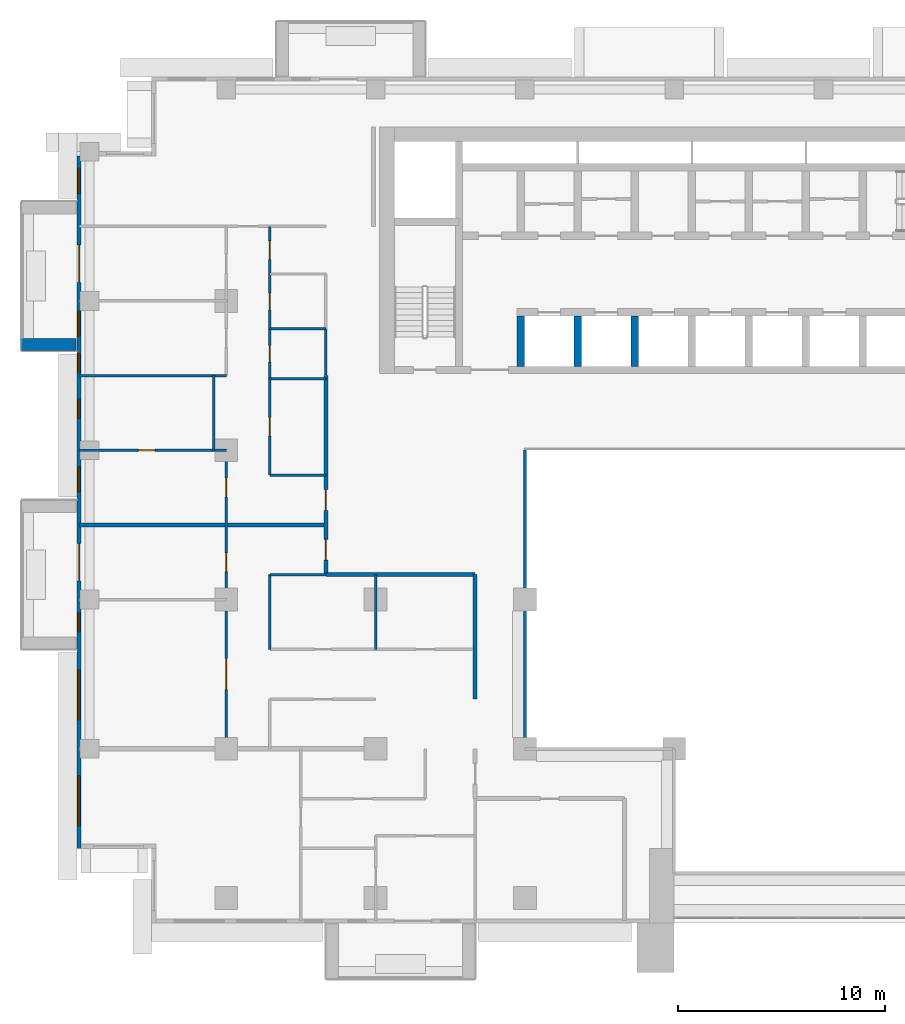
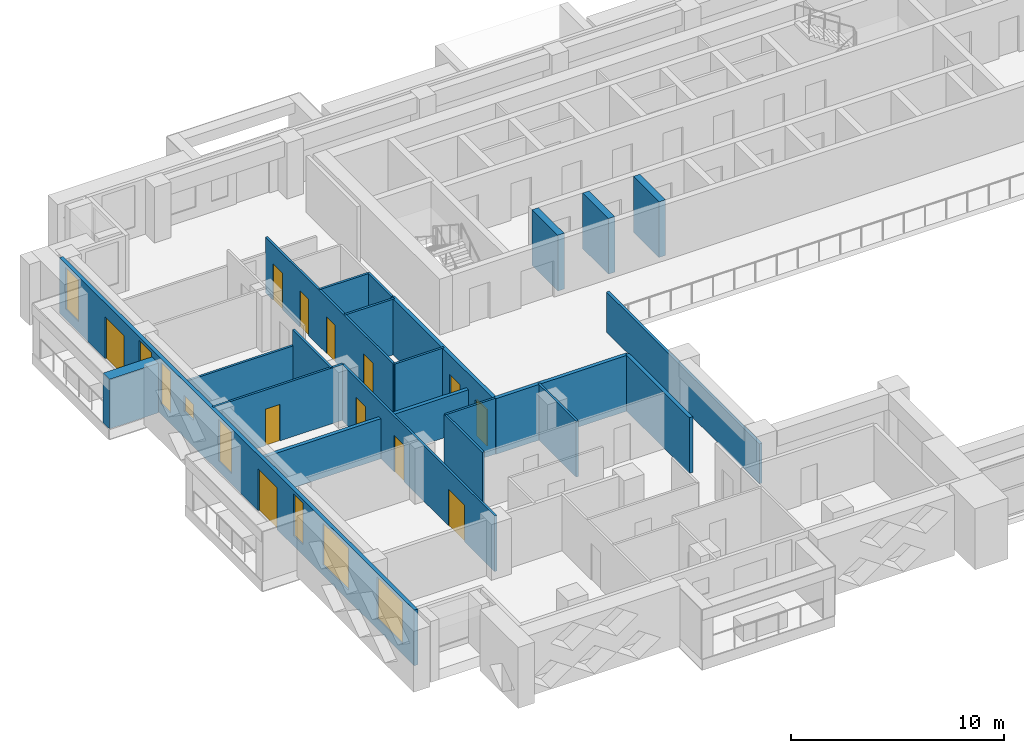
# One storey, part 7 of 20: 22 walls, 12 doors, 8 windows, 20 openings.
"""IFC4 building model written with IfcOpenShell, lengths in metres."""

from ifc_helpers import new_model, si_unit, direction, frame, frame_2d, origin, place, context, subcontext, project, spatial, rectangle, extrude, material, layer, layer_set, type_object, element, fill, save


model = new_model("IFC4")

# Units and contexts
model_context = context("Model", 3, precision=1e-05, world=origin(), true_north=direction((0.0, 1.0)))
body_context = subcontext(model_context, "Body", "Model", "MODEL_VIEW")
ifc_project = project(units=[si_unit("LENGTHUNIT", "METRE"), si_unit("AREAUNIT", "SQUARE_METRE"), si_unit("VOLUMEUNIT", "CUBIC_METRE"), si_unit("PLANEANGLEUNIT", "RADIAN"), si_unit("MASSUNIT", "GRAM", prefix="KILO")], contexts=[model_context])

# Site, building, storey
site_placement = place(None, origin())
site = spatial("IfcSite", under=ifc_project, at=site_placement, CompositionType="ELEMENT")
building_placement = place(site_placement, origin())
building = spatial("IfcBuilding", under=site, at=building_placement, Name="Saffron Iwan Residences", CompositionType="ELEMENT")
storey_placement = place(building_placement, frame((0.0, 0.0, 123.5)))
storey = spatial("IfcBuildingStorey", under=building, at=storey_placement, Name="L32", CompositionType="ELEMENT", Elevation=123.5)

# Walls
ifc_material_1 = material(Name="Fire-rated glazing", Category="glass")
ifc_layer_1 = layer(ifc_material_1, 0.14990234375)
ifc_layer_set_1 = layer_set([ifc_layer_1], Name="Fire-rated glazing")
wall_type_1 = type_object("IfcWallType", Name="Atrium glazed screen 150", PredefinedType="SOLIDWALL", material=ifc_layer_set_1)
wall_1_placement = place(storey_placement, frame((36.0, 48.0, 0.0), z_axis=(0.0, 0.0, 1.0), x_axis=(0.0, 1.0, 0.0)))
element("IfcWall", 1, at=wall_1_placement, inside=storey, type_object=wall_type_1, Name="W-L32-SCREEN-v36-48", PredefinedType="SOLIDWALL", context=body_context, shape_type="SweptSolid", body=[
    extrude(rectangle(XDim=14.39990234375, YDim=0.14990234375, at=frame_2d((7.199951171875, 0.0))), origin(), (0.0, 0.0, 1.0), 2.300048828125),
])
ifc_material_2 = material(Name="Concrete C50/60 white painted", Category="concrete")
ifc_layer_2 = layer(ifc_material_2, 0.60009765625)
ifc_layer_set_2 = layer_set([ifc_layer_2], Name="Concrete C50/60 white painted")
wall_type_2 = type_object("IfcWallType", Name="BALCONY FIN 600", PredefinedType="SOLIDWALL", material=ifc_layer_set_2)
wall_2_placement = place(storey_placement, frame((14.35009765625, 67.5, 0.0), z_axis=(0.0, 0.0, 1.0), x_axis=(-1.0, 0.0, 0.0)))
element("IfcWall", 2, at=wall_2_placement, inside=storey, type_object=wall_type_2, Name="Balcony fin L32 F8-0b", PredefinedType="SOLIDWALL", context=body_context, shape_type="SweptSolid", body=[
    extrude(rectangle(XDim=2.650146484375, YDim=0.60009765625, at=frame_2d((1.3251953125, 0.0))), origin(), (0.0, 0.0, 1.0), 2.85009765625),
])

# Wall, openings, doors, windows
ifc_material_3 = material(Name="Concrete C40/50", Category="concrete")
ifc_layer_3 = layer(ifc_material_3, 0.199951171875)
ifc_layer_set_3 = layer_set([ifc_layer_3], Name="Concrete C40/50")
wall_type_3 = type_object("IfcWallType", Name="EXTERNAL WALL 200", PredefinedType="SOLIDWALL", material=ifc_layer_set_3)
wall_3_placement = place(storey_placement, frame((14.5, 76.60009765625, 0.0), z_axis=(0.0, 0.0, 1.0), x_axis=(0.0, -1.0, 0.0)))
wall_3 = element("IfcWall", 3, at=wall_3_placement, inside=storey, type_object=wall_type_3, Name="External wall L32 F8.0", PredefinedType="SOLIDWALL", context=body_context, shape_type="SweptSolid", body=[
    extrude(rectangle(XDim=33.400146484375, YDim=0.199951171875, at=frame_2d((16.7001953125, 0.0))), origin(), (0.0, 0.0, 1.0), 3.199951171875),
])
opening_1_placement = place(wall_3_placement, frame((4.300048828125, 0.0, 0.0)))
opening_1 = element("IfcOpeningElement", 4, at=opening_1_placement, cuts=wall_3, Name="Opening BD1", PredefinedType="OPENING", context=body_context, shape_type="SweptSolid", body=[
    extrude(rectangle(XDim=1.800048828125, YDim=2.39990234375, at=frame_2d((0.89990234375, 1.199951171875))), frame((0.0, 0.10986328125, 0.0), z_axis=(0.0, -1.0, 0.0), x_axis=(1.0, 0.0, 0.0)), (0.0, 0.0, 1.0), 0.219970703125),
])
opening_2_placement = place(wall_3_placement, frame((18.699951171875, 0.0, 0.0)))
opening_2 = element("IfcOpeningElement", 5, at=opening_2_placement, cuts=wall_3, Name="Opening BD1", PredefinedType="OPENING", context=body_context, shape_type="SweptSolid", body=[
    extrude(rectangle(XDim=1.800048828125, YDim=2.39990234375, at=frame_2d((0.89990234375, 1.199951171875))), frame((0.0, 0.10986328125, 0.0), z_axis=(0.0, -1.0, 0.0), x_axis=(1.0, 0.0, 0.0)), (0.0, 0.0, 1.0), 0.219970703125),
])
opening_3_placement = place(wall_3_placement, frame((29.89990234375, 0.0, 0.60009765625)))
opening_3 = element("IfcOpeningElement", 6, at=opening_3_placement, cuts=wall_3, Name="Opening W1", PredefinedType="OPENING", context=body_context, shape_type="SweptSolid", body=[
    extrude(rectangle(XDim=2.39990234375, YDim=2.39990234375, at=frame_2d((1.199951171875, 1.199951171875))), frame((0.0, 0.10986328125, 0.0), z_axis=(0.0, -1.0, 0.0), x_axis=(1.0, 0.0, 0.0)), (0.0, 0.0, 1.0), 0.219970703125),
])
opening_4_placement = place(wall_3_placement, frame((22.050048828125, 0.0, 0.60009765625)))
opening_4 = element("IfcOpeningElement", 7, at=opening_4_placement, cuts=wall_3, Name="Opening W10", PredefinedType="OPENING", context=body_context, shape_type="SweptSolid", body=[
    extrude(rectangle(XDim=0.89990234375, YDim=2.39990234375, at=frame_2d((0.449951171875, 1.199951171875))), frame((0.0, 0.10986328125, 0.0), z_axis=(0.0, -1.0, 0.0), x_axis=(1.0, 0.0, 0.0)), (0.0, 0.0, 1.0), 0.219970703125),
])
opening_5_placement = place(wall_3_placement, frame((24.800048828125, 0.0, 0.60009765625)))
opening_5 = element("IfcOpeningElement", 8, at=opening_5_placement, cuts=wall_3, Name="Opening W1", PredefinedType="OPENING", context=body_context, shape_type="SweptSolid", body=[
    extrude(rectangle(XDim=2.39990234375, YDim=2.39990234375, at=frame_2d((1.199951171875, 1.199951171875))), frame((0.0, 0.10986328125, 0.0), z_axis=(0.0, -1.0, 0.0), x_axis=(1.0, 0.0, 0.0)), (0.0, 0.0, 1.0), 0.219970703125),
])
opening_6_placement = place(wall_3_placement, frame((15.0, 0.0, 0.60009765625)))
opening_6 = element("IfcOpeningElement", 9, at=opening_6_placement, cuts=wall_3, Name="Opening W3", PredefinedType="OPENING", context=body_context, shape_type="SweptSolid", body=[
    extrude(rectangle(XDim=1.199951171875, YDim=2.39990234375, at=frame_2d((0.60009765625, 1.199951171875))), frame((0.0, 0.10986328125, 0.0), z_axis=(0.0, -1.0, 0.0), x_axis=(1.0, 0.0, 0.0)), (0.0, 0.0, 1.0), 0.219970703125),
])
opening_7_placement = place(wall_3_placement, frame((11.75, 0.0, 1.5)))
opening_7 = element("IfcOpeningElement", 10, at=opening_7_placement, cuts=wall_3, Name="Opening W6", PredefinedType="OPENING", context=body_context, shape_type="SweptSolid", body=[
    extrude(rectangle(XDim=0.89990234375, YDim=0.89990234375, at=frame_2d((0.449951171875, 0.449951171875))), frame((0.0, 0.10986328125, 0.0), z_axis=(0.0, -1.0, 0.0), x_axis=(1.0, 0.0, 0.0)), (0.0, 0.0, 1.0), 0.219970703125),
])
opening_8_placement = place(wall_3_placement, frame((7.5, 0.0, 0.60009765625)))
opening_8 = element("IfcOpeningElement", 11, at=opening_8_placement, cuts=wall_3, Name="Opening W3", PredefinedType="OPENING", context=body_context, shape_type="SweptSolid", body=[
    extrude(rectangle(XDim=1.199951171875, YDim=2.39990234375, at=frame_2d((0.60009765625, 1.199951171875))), frame((0.0, 0.10986328125, 0.0), z_axis=(0.0, -1.0, 0.0), x_axis=(1.0, 0.0, 0.0)), (0.0, 0.0, 1.0), 0.219970703125),
])
opening_9_placement = place(wall_3_placement, frame((9.550048828125, 0.0, 0.60009765625)))
opening_9 = element("IfcOpeningElement", 12, at=opening_9_placement, cuts=wall_3, Name="Opening W10", PredefinedType="OPENING", context=body_context, shape_type="SweptSolid", body=[
    extrude(rectangle(XDim=0.89990234375, YDim=2.39990234375, at=frame_2d((0.449951171875, 1.199951171875))), frame((0.0, 0.10986328125, 0.0), z_axis=(0.0, -1.0, 0.0), x_axis=(1.0, 0.0, 0.0)), (0.0, 0.0, 1.0), 0.219970703125),
])
opening_10_placement = place(wall_3_placement, frame((0.60009765625, 0.0, 0.60009765625)))
opening_10 = element("IfcOpeningElement", 13, at=opening_10_placement, cuts=wall_3, Name="Opening W3", PredefinedType="OPENING", context=body_context, shape_type="SweptSolid", body=[
    extrude(rectangle(XDim=1.199951171875, YDim=2.39990234375, at=frame_2d((0.60009765625, 1.199951171875))), frame((0.0, 0.10986328125, 0.0), z_axis=(0.0, -1.0, 0.0), x_axis=(1.0, 0.0, 0.0)), (0.0, 0.0, 1.0), 0.219970703125),
])
ifc_material_4 = material(Name="Clear glass, laminated double glazed", Category="glass")
door_type_1 = type_object("IfcDoorType", Name="BALCONY DOOR 1800 x 2400", OperationType="DOUBLE_DOOR_SLIDING", PredefinedType="DOOR", material=ifc_material_4)
door_1_placement = place(opening_1_placement, origin())
door_1 = element("IfcDoor", 14, at=door_1_placement, inside=storey, type_object=door_type_1, Name="Balcony door L32 F8.0", OperationType="DOUBLE_DOOR_SLIDING", OverallHeight=2.39990234375, OverallWidth=1.800048828125, PredefinedType="DOOR", context=body_context, shape_type="SweptSolid", body=[
    extrude(rectangle(XDim=1.800048828125, YDim=2.39990234375, at=frame_2d((0.89990234375, 1.199951171875))), frame((0.0, 0.02490234375, 0.0), z_axis=(0.0, -1.0, 0.0), x_axis=(1.0, 0.0, 0.0)), (0.0, 0.0, 1.0), 0.050048828125),
])
fill(opening_1, door_1)
door_2_placement = place(opening_2_placement, origin())
door_2 = element("IfcDoor", 15, at=door_2_placement, inside=storey, type_object=door_type_1, Name="Balcony door L32 F8.1", OperationType="DOUBLE_DOOR_SLIDING", OverallHeight=2.39990234375, OverallWidth=1.800048828125, PredefinedType="DOOR", context=body_context, shape_type="SweptSolid", body=[
    extrude(rectangle(XDim=1.800048828125, YDim=2.39990234375, at=frame_2d((0.89990234375, 1.199951171875))), frame((0.0, 0.02490234375, 0.0), z_axis=(0.0, -1.0, 0.0), x_axis=(1.0, 0.0, 0.0)), (0.0, 0.0, 1.0), 0.050048828125),
])
fill(opening_2, door_2)
window_type_1 = type_object("IfcWindowType", Name="WINDOW 1200 x 2400", PartitioningType="SINGLE_PANEL", PredefinedType="WINDOW", material=ifc_material_4)
window_1_placement = place(opening_6_placement, origin())
window_1 = element("IfcWindow", 16, at=window_1_placement, inside=storey, type_object=window_type_1, Name="Window L32 F8.5", OverallHeight=2.39990234375, OverallWidth=1.199951171875, PartitioningType="SINGLE_PANEL", PredefinedType="WINDOW", context=body_context, shape_type="SweptSolid", body=[
    extrude(rectangle(XDim=1.199951171875, YDim=2.39990234375, at=frame_2d((0.60009765625, 1.199951171875))), frame((0.0, 0.030029296875, 0.0), z_axis=(0.0, -1.0, 0.0), x_axis=(1.0, 0.0, 0.0)), (0.0, 0.0, 1.0), 0.06005859375),
])
fill(opening_6, window_1)
window_2_placement = place(opening_8_placement, origin())
window_2 = element("IfcWindow", 17, at=window_2_placement, inside=storey, type_object=window_type_1, Name="Window L32 F8.7", OverallHeight=2.39990234375, OverallWidth=1.199951171875, PartitioningType="SINGLE_PANEL", PredefinedType="WINDOW", context=body_context, shape_type="SweptSolid", body=[
    extrude(rectangle(XDim=1.199951171875, YDim=2.39990234375, at=frame_2d((0.60009765625, 1.199951171875))), frame((0.0, 0.030029296875, 0.0), z_axis=(0.0, -1.0, 0.0), x_axis=(1.0, 0.0, 0.0)), (0.0, 0.0, 1.0), 0.06005859375),
])
fill(opening_8, window_2)
window_3_placement = place(opening_10_placement, origin())
window_3 = element("IfcWindow", 18, at=window_3_placement, inside=storey, type_object=window_type_1, Name="Window L32 F8.9", OverallHeight=2.39990234375, OverallWidth=1.199951171875, PartitioningType="SINGLE_PANEL", PredefinedType="WINDOW", context=body_context, shape_type="SweptSolid", body=[
    extrude(rectangle(XDim=1.199951171875, YDim=2.39990234375, at=frame_2d((0.60009765625, 1.199951171875))), frame((0.0, 0.030029296875, 0.0), z_axis=(0.0, -1.0, 0.0), x_axis=(1.0, 0.0, 0.0)), (0.0, 0.0, 1.0), 0.06005859375),
])
fill(opening_10, window_3)
window_type_2 = type_object("IfcWindowType", Name="WINDOW 2400 x 2400", PartitioningType="DOUBLE_PANEL_VERTICAL", PredefinedType="WINDOW", material=ifc_material_4)
window_4_placement = place(opening_3_placement, origin())
window_4 = element("IfcWindow", 19, at=window_4_placement, inside=storey, type_object=window_type_2, Name="Window L32 F8.2", OverallHeight=2.39990234375, OverallWidth=2.39990234375, PartitioningType="DOUBLE_PANEL_VERTICAL", PredefinedType="WINDOW", context=body_context, shape_type="SweptSolid", body=[
    extrude(rectangle(XDim=2.39990234375, YDim=2.39990234375, at=frame_2d((1.199951171875, 1.199951171875))), frame((0.0, 0.030029296875, 0.0), z_axis=(0.0, -1.0, 0.0), x_axis=(1.0, 0.0, 0.0)), (0.0, 0.0, 1.0), 0.06005859375),
])
fill(opening_3, window_4)
window_5_placement = place(opening_5_placement, origin())
window_5 = element("IfcWindow", 20, at=window_5_placement, inside=storey, type_object=window_type_2, Name="Window L32 F8.4", OverallHeight=2.39990234375, OverallWidth=2.39990234375, PartitioningType="DOUBLE_PANEL_VERTICAL", PredefinedType="WINDOW", context=body_context, shape_type="SweptSolid", body=[
    extrude(rectangle(XDim=2.39990234375, YDim=2.39990234375, at=frame_2d((1.199951171875, 1.199951171875))), frame((0.0, 0.030029296875, 0.0), z_axis=(0.0, -1.0, 0.0), x_axis=(1.0, 0.0, 0.0)), (0.0, 0.0, 1.0), 0.06005859375),
])
fill(opening_5, window_5)
window_type_3 = type_object("IfcWindowType", Name="WINDOW 900 x 2400", PartitioningType="SINGLE_PANEL", PredefinedType="WINDOW", material=ifc_material_4)
window_6_placement = place(opening_4_placement, origin())
window_6 = element("IfcWindow", 21, at=window_6_placement, inside=storey, type_object=window_type_3, Name="Window L32 F8.3", OverallHeight=2.39990234375, OverallWidth=0.89990234375, PartitioningType="SINGLE_PANEL", PredefinedType="WINDOW", context=body_context, shape_type="SweptSolid", body=[
    extrude(rectangle(XDim=0.89990234375, YDim=2.39990234375, at=frame_2d((0.449951171875, 1.199951171875))), frame((0.0, 0.030029296875, 0.0), z_axis=(0.0, -1.0, 0.0), x_axis=(1.0, 0.0, 0.0)), (0.0, 0.0, 1.0), 0.06005859375),
])
fill(opening_4, window_6)
window_7_placement = place(opening_9_placement, origin())
window_7 = element("IfcWindow", 22, at=window_7_placement, inside=storey, type_object=window_type_3, Name="Window L32 F8.8", OverallHeight=2.39990234375, OverallWidth=0.89990234375, PartitioningType="SINGLE_PANEL", PredefinedType="WINDOW", context=body_context, shape_type="SweptSolid", body=[
    extrude(rectangle(XDim=0.89990234375, YDim=2.39990234375, at=frame_2d((0.449951171875, 1.199951171875))), frame((0.0, 0.030029296875, 0.0), z_axis=(0.0, -1.0, 0.0), x_axis=(1.0, 0.0, 0.0)), (0.0, 0.0, 1.0), 0.06005859375),
])
fill(opening_9, window_7)
window_type_4 = type_object("IfcWindowType", Name="WINDOW 900 x 900 BATH", PartitioningType="SINGLE_PANEL", PredefinedType="WINDOW", material=ifc_material_4)
window_8_placement = place(opening_7_placement, origin())
window_8 = element("IfcWindow", 23, at=window_8_placement, inside=storey, type_object=window_type_4, Name="Window L32 F8.6", OverallHeight=0.89990234375, OverallWidth=0.89990234375, PartitioningType="SINGLE_PANEL", PredefinedType="WINDOW", context=body_context, shape_type="SweptSolid", body=[
    extrude(rectangle(XDim=0.89990234375, YDim=0.89990234375, at=frame_2d((0.449951171875, 0.449951171875))), frame((0.0, 0.030029296875, 0.0), z_axis=(0.0, -1.0, 0.0), x_axis=(1.0, 0.0, 0.0)), (0.0, 0.0, 1.0), 0.06005859375),
])
fill(opening_7, window_8)

# Walls
ifc_material_5 = material(Name="Fire-rated gypsum board wall")
ifc_layer_4 = layer(ifc_material_5, 0.199951171875)
ifc_layer_set_4 = layer_set([ifc_layer_4], Name="Fire-rated gypsum board wall")
wall_type_4 = type_object("IfcWallType", Name="Flat demising wall 200", PredefinedType="SOLIDWALL", material=ifc_layer_set_4)
wall_4_placement = place(storey_placement, frame((14.52490234375, 58.800048828125, 0.0), z_axis=(0.0, 0.0, 1.0), x_axis=(1.0, 0.0, 0.0)))
element("IfcWall", 24, at=wall_4_placement, inside=storey, type_object=wall_type_4, Name="W-L32-DEMISE-h58.8-14.525", PredefinedType="SOLIDWALL", context=body_context, shape_type="SweptSolid", body=[
    extrude(rectangle(XDim=11.875, YDim=0.199951171875, at=frame_2d((5.9375, 0.0))), origin(), (0.0, 0.0, 1.0), 2.300048828125),
])
ifc_material_6 = material(Name="Gypsum board partition")
ifc_layer_5 = layer(ifc_material_6, 0.1201171875)
ifc_layer_set_5 = layer_set([ifc_layer_5], Name="Gypsum board partition")
wall_type_5 = type_object("IfcWallType", Name="Flat partition 120", PredefinedType="PARTITIONING", material=ifc_layer_set_5)
for number, where, z_axis, x_axis, name in (
    (25, (23.699951171875, 56.39990234375, 0.0), (0.0, 0.0, 1.0), (1.0, 0.0, 0.0), "W-L32-PART-h56.4-23.7"),
    (26, (23.699951171875, 61.199951171875, 0.0), (0.0, 0.0, 1.0), (1.0, 0.0, 0.0), "W-L32-PART-h61.2-23.7"),
):
    element("IfcWall", number, at=place(storey_placement, frame(where, z_axis=z_axis, x_axis=x_axis)), inside=storey, type_object=wall_type_5, Name=name, PredefinedType="PARTITIONING", context=body_context, shape_type="SweptSolid", body=[
        extrude(rectangle(XDim=2.699951171875, YDim=0.1201171875, at=frame_2d((1.35009765625, 0.0))), origin(), (0.0, 0.0, 1.0), 3.199951171875),
    ])

# Wall, opening, door
wall_5_placement = place(storey_placement, frame((14.52490234375, 62.39990234375, 0.0), z_axis=(0.0, 0.0, 1.0), x_axis=(1.0, 0.0, 0.0)))
wall_5 = element("IfcWall", 27, at=wall_5_placement, inside=storey, type_object=wall_type_5, Name="W-L32-PART-h62.4-14.525", PredefinedType="PARTITIONING", context=body_context, shape_type="SweptSolid", body=[
    extrude(rectangle(XDim=7.0751953125, YDim=0.1201171875, at=frame_2d((3.53759765625, 0.0))), origin(), (0.0, 0.0, 1.0), 3.199951171875),
])
opening_11_placement = place(wall_5_placement, frame((2.83740234375, 0.0, 0.0)))
opening_11 = element("IfcOpeningElement", 28, at=opening_11_placement, cuts=wall_5, Name="Opening FD3", PredefinedType="OPENING", context=body_context, shape_type="SweptSolid", body=[
    extrude(rectangle(XDim=0.800048828125, YDim=2.10009765625, at=frame_2d((0.39990234375, 1.050048828125))), frame((0.0, 0.070068359375, 0.0), z_axis=(0.0, -1.0, 0.0), x_axis=(1.0, 0.0, 0.0)), (0.0, 0.0, 1.0), 0.14013671875),
])
ifc_material_7 = material(Name="Timber door", Category="wood")
door_type_2 = type_object("IfcDoorType", Name="Bathroom door 800", OperationType="NOTDEFINED", PredefinedType="DOOR", material=ifc_material_7)
door_3_placement = place(opening_11_placement, origin())
door_3 = element("IfcDoor", 29, at=door_3_placement, inside=storey, type_object=door_type_2, Name="Door L32-021", OperationType="SINGLE_SWING_LEFT", OverallHeight=2.10009765625, OverallWidth=0.800048828125, PredefinedType="DOOR", context=body_context, shape_type="SweptSolid", body=[
    extrude(rectangle(XDim=0.800048828125, YDim=2.10009765625, at=frame_2d((0.39990234375, 1.050048828125))), frame((0.0, 0.02490234375, 0.0), z_axis=(0.0, -1.0, 0.0), x_axis=(1.0, 0.0, 0.0)), (0.0, 0.0, 1.0), 0.050048828125),
])
fill(opening_11, door_3)

# Walls
wall_6_placement = place(storey_placement, frame((23.699951171875, 65.85009765625, 0.0), z_axis=(0.0, 0.0, 1.0), x_axis=(1.0, 0.0, 0.0)))
element("IfcWall", 30, at=wall_6_placement, inside=storey, type_object=wall_type_5, Name="W-L32-PART-h65.85-23.7", PredefinedType="PARTITIONING", context=body_context, shape_type="SweptSolid", body=[
    extrude(rectangle(XDim=2.699951171875, YDim=0.1201171875, at=frame_2d((1.35009765625, 0.0))), origin(), (0.0, 0.0, 1.0), 3.199951171875),
])
wall_7_placement = place(storey_placement, frame((14.52490234375, 66.0, 0.0), z_axis=(0.0, 0.0, 1.0), x_axis=(1.0, 0.0, 0.0)))
element("IfcWall", 31, at=wall_7_placement, inside=storey, type_object=wall_type_5, Name="W-L32-PART-h66-14.525", PredefinedType="PARTITIONING", context=body_context, shape_type="SweptSolid", body=[
    extrude(rectangle(XDim=7.0751953125, YDim=0.1201171875, at=frame_2d((3.53759765625, 0.0))), origin(), (0.0, 0.0, 1.0), 2.300048828125),
])
wall_8_placement = place(storey_placement, frame((23.699951171875, 68.25, 0.0), z_axis=(0.0, 0.0, 1.0), x_axis=(1.0, 0.0, 0.0)))
element("IfcWall", 32, at=wall_8_placement, inside=storey, type_object=wall_type_5, Name="W-L32-PART-h68.25-23.7", PredefinedType="PARTITIONING", context=body_context, shape_type="SweptSolid", body=[
    extrude(rectangle(XDim=2.699951171875, YDim=0.1201171875, at=frame_2d((1.35009765625, 0.0))), origin(), (0.0, 0.0, 1.0), 3.199951171875),
])
wall_9_placement = place(storey_placement, frame((21.0, 62.39990234375, 0.0), z_axis=(0.0, 0.0, 1.0), x_axis=(0.0, 1.0, 0.0)))
element("IfcWall", 33, at=wall_9_placement, inside=storey, type_object=wall_type_5, Name="W-L32-PART-v21-62.4", PredefinedType="PARTITIONING", context=body_context, shape_type="SweptSolid", body=[
    extrude(rectangle(XDim=3.60009765625, YDim=0.1201171875, at=frame_2d((1.800048828125, 0.0))), origin(), (0.0, 0.0, 1.0), 3.199951171875),
])

# Wall, openings, doors
wall_10_placement = place(storey_placement, frame((21.60009765625, 48.0, 0.0), z_axis=(0.0, 0.0, 1.0), x_axis=(0.0, 1.0, 0.0)))
wall_10 = element("IfcWall", 34, at=wall_10_placement, inside=storey, type_object=wall_type_5, Name="W-L32-PART-v21.6-48", PredefinedType="PARTITIONING", context=body_context, shape_type="SweptSolid", body=[
    extrude(rectangle(XDim=14.39990234375, YDim=0.1201171875, at=frame_2d((7.199951171875, 0.0))), origin(), (0.0, 0.0, 1.0), 3.199951171875),
])
opening_12_placement = place(wall_10_placement, frame((2.85009765625, 0.0, 0.0)))
opening_12 = element("IfcOpeningElement", 35, at=opening_12_placement, cuts=wall_10, Name="Opening FD4", PredefinedType="OPENING", context=body_context, shape_type="SweptSolid", body=[
    extrude(rectangle(XDim=1.5, YDim=2.10009765625, at=frame_2d((0.75, 1.050048828125))), frame((0.0, 0.070068359375, 0.0), z_axis=(0.0, -1.0, 0.0), x_axis=(1.0, 0.0, 0.0)), (0.0, 0.0, 1.0), 0.14013671875),
])
opening_13_placement = place(wall_10_placement, frame((8.550048828125, 0.0, 0.0)))
opening_13 = element("IfcOpeningElement", 36, at=opening_13_placement, cuts=wall_10, Name="Opening FD2", PredefinedType="OPENING", context=body_context, shape_type="SweptSolid", body=[
    extrude(rectangle(XDim=0.89990234375, YDim=2.10009765625, at=frame_2d((0.449951171875, 1.050048828125))), frame((0.0, 0.070068359375, 0.0), z_axis=(0.0, -1.0, 0.0), x_axis=(1.0, 0.0, 0.0)), (0.0, 0.0, 1.0), 0.14013671875),
])
opening_14_placement = place(wall_10_placement, frame((12.14990234375, 0.0, 0.0)))
opening_14 = element("IfcOpeningElement", 37, at=opening_14_placement, cuts=wall_10, Name="Opening FD2", PredefinedType="OPENING", context=body_context, shape_type="SweptSolid", body=[
    extrude(rectangle(XDim=0.89990234375, YDim=2.10009765625, at=frame_2d((0.449951171875, 1.050048828125))), frame((0.0, 0.070068359375, 0.0), z_axis=(0.0, -1.0, 0.0), x_axis=(1.0, 0.0, 0.0)), (0.0, 0.0, 1.0), 0.14013671875),
])
door_type_3 = type_object("IfcDoorType", Name="Double door 1500", OperationType="NOTDEFINED", PredefinedType="DOOR", material=ifc_material_7)
door_4_placement = place(opening_12_placement, origin())
door_4 = element("IfcDoor", 38, at=door_4_placement, inside=storey, type_object=door_type_3, Name="Door L32-008", OperationType="SINGLE_SWING_RIGHT", OverallHeight=2.10009765625, OverallWidth=1.5, PredefinedType="DOOR", context=body_context, shape_type="SweptSolid", body=[
    extrude(rectangle(XDim=1.5, YDim=2.10009765625, at=frame_2d((0.75, 1.050048828125))), frame((0.0, 0.02490234375, 0.0), z_axis=(0.0, -1.0, 0.0), x_axis=(1.0, 0.0, 0.0)), (0.0, 0.0, 1.0), 0.050048828125),
])
fill(opening_12, door_4)
door_type_4 = type_object("IfcDoorType", Name="Flat door 900", OperationType="NOTDEFINED", PredefinedType="DOOR", material=ifc_material_7)
door_5_placement = place(opening_13_placement, origin())
door_5 = element("IfcDoor", 39, at=door_5_placement, inside=storey, type_object=door_type_4, Name="Door L32-009", OperationType="SINGLE_SWING_LEFT", OverallHeight=2.10009765625, OverallWidth=0.89990234375, PredefinedType="DOOR", context=body_context, shape_type="SweptSolid", body=[
    extrude(rectangle(XDim=0.89990234375, YDim=2.10009765625, at=frame_2d((0.449951171875, 1.050048828125))), frame((0.0, 0.02490234375, 0.0), z_axis=(0.0, -1.0, 0.0), x_axis=(1.0, 0.0, 0.0)), (0.0, 0.0, 1.0), 0.050048828125),
])
fill(opening_13, door_5)
door_6_placement = place(opening_14_placement, origin())
door_6 = element("IfcDoor", 40, at=door_6_placement, inside=storey, type_object=door_type_4, Name="Door L32-020", OperationType="SINGLE_SWING_RIGHT", OverallHeight=2.10009765625, OverallWidth=0.89990234375, PredefinedType="DOOR", context=body_context, shape_type="SweptSolid", body=[
    extrude(rectangle(XDim=0.89990234375, YDim=2.10009765625, at=frame_2d((0.449951171875, 1.050048828125))), frame((0.0, 0.02490234375, 0.0), z_axis=(0.0, -1.0, 0.0), x_axis=(1.0, 0.0, 0.0)), (0.0, 0.0, 1.0), 0.050048828125),
])
fill(opening_14, door_6)

# Wall
wall_11_placement = place(storey_placement, frame((23.699951171875, 52.800048828125, 0.0), z_axis=(0.0, 0.0, 1.0), x_axis=(0.0, 1.0, 0.0)))
element("IfcWall", 41, at=wall_11_placement, inside=storey, type_object=wall_type_5, Name="W-L32-PART-v23.7-52.8", PredefinedType="PARTITIONING", context=body_context, shape_type="SweptSolid", body=[
    extrude(rectangle(XDim=3.599853515625, YDim=0.1201171875, at=frame_2d((1.7998046875, 0.0))), origin(), (0.0, 0.0, 1.0), 3.199951171875),
])

# Wall, openings, doors
wall_12_placement = place(storey_placement, frame((23.699951171875, 61.199951171875, 0.0), z_axis=(0.0, 0.0, 1.0), x_axis=(0.0, 1.0, 0.0)))
wall_12 = element("IfcWall", 42, at=wall_12_placement, inside=storey, type_object=wall_type_5, Name="W-L32-PART-v23.7-61.2", PredefinedType="PARTITIONING", context=body_context, shape_type="SweptSolid", body=[
    extrude(rectangle(XDim=12.0, YDim=0.1201171875, at=frame_2d((6.0, 0.0))), origin(), (0.0, 0.0, 1.0), 3.199951171875),
])
opening_15_placement = place(wall_12_placement, frame((1.875, 0.0, 0.0)))
opening_15 = element("IfcOpeningElement", 43, at=opening_15_placement, cuts=wall_12, Name="Opening FD2", PredefinedType="OPENING", context=body_context, shape_type="SweptSolid", body=[
    extrude(rectangle(XDim=0.89990234375, YDim=2.10009765625, at=frame_2d((0.449951171875, 1.050048828125))), frame((0.0, 0.070068359375, 0.0), z_axis=(0.0, -1.0, 0.0), x_axis=(1.0, 0.0, 0.0)), (0.0, 0.0, 1.0), 0.14013671875),
])
opening_16_placement = place(wall_12_placement, frame((5.449951171875, 0.0, 0.0)))
opening_16 = element("IfcOpeningElement", 44, at=opening_16_placement, cuts=wall_12, Name="Opening FD3", PredefinedType="OPENING", context=body_context, shape_type="SweptSolid", body=[
    extrude(rectangle(XDim=0.800048828125, YDim=2.10009765625, at=frame_2d((0.39990234375, 1.050048828125))), frame((0.0, 0.070068359375, 0.0), z_axis=(0.0, -1.0, 0.0), x_axis=(1.0, 0.0, 0.0)), (0.0, 0.0, 1.0), 0.14013671875),
])
opening_17_placement = place(wall_12_placement, frame((7.97509765625, 0.0, 0.0)))
opening_17 = element("IfcOpeningElement", 45, at=opening_17_placement, cuts=wall_12, Name="Opening FD3", PredefinedType="OPENING", context=body_context, shape_type="SweptSolid", body=[
    extrude(rectangle(XDim=0.800048828125, YDim=2.10009765625, at=frame_2d((0.39990234375, 1.050048828125))), frame((0.0, 0.070068359375, 0.0), z_axis=(0.0, -1.0, 0.0), x_axis=(1.0, 0.0, 0.0)), (0.0, 0.0, 1.0), 0.14013671875),
])
opening_18_placement = place(wall_12_placement, frame((10.39990234375, 0.0, 0.0)))
opening_18 = element("IfcOpeningElement", 46, at=opening_18_placement, cuts=wall_12, Name="Opening FD2", PredefinedType="OPENING", context=body_context, shape_type="SweptSolid", body=[
    extrude(rectangle(XDim=0.89990234375, YDim=2.10009765625, at=frame_2d((0.449951171875, 1.050048828125))), frame((0.0, 0.070068359375, 0.0), z_axis=(0.0, -1.0, 0.0), x_axis=(1.0, 0.0, 0.0)), (0.0, 0.0, 1.0), 0.14013671875),
])
door_7_placement = place(opening_16_placement, origin())
door_7 = element("IfcDoor", 47, at=door_7_placement, inside=storey, type_object=door_type_2, Name="Door L32-026", OperationType="SINGLE_SWING_RIGHT", OverallHeight=2.10009765625, OverallWidth=0.800048828125, PredefinedType="DOOR", context=body_context, shape_type="SweptSolid", body=[
    extrude(rectangle(XDim=0.800048828125, YDim=2.10009765625, at=frame_2d((0.39990234375, 1.050048828125))), frame((0.0, 0.02490234375, 0.0), z_axis=(0.0, -1.0, 0.0), x_axis=(1.0, 0.0, 0.0)), (0.0, 0.0, 1.0), 0.050048828125),
])
fill(opening_16, door_7)
door_8_placement = place(opening_17_placement, origin())
door_8 = element("IfcDoor", 48, at=door_8_placement, inside=storey, type_object=door_type_2, Name="Door L32-027", OperationType="SINGLE_SWING_LEFT", OverallHeight=2.10009765625, OverallWidth=0.800048828125, PredefinedType="DOOR", context=body_context, shape_type="SweptSolid", body=[
    extrude(rectangle(XDim=0.800048828125, YDim=2.10009765625, at=frame_2d((0.39990234375, 1.050048828125))), frame((0.0, 0.02490234375, 0.0), z_axis=(0.0, -1.0, 0.0), x_axis=(1.0, 0.0, 0.0)), (0.0, 0.0, 1.0), 0.050048828125),
])
fill(opening_17, door_8)
door_9_placement = place(opening_15_placement, origin())
door_9 = element("IfcDoor", 49, at=door_9_placement, inside=storey, type_object=door_type_4, Name="Door L32-025", OperationType="SINGLE_SWING_LEFT", OverallHeight=2.10009765625, OverallWidth=0.89990234375, PredefinedType="DOOR", context=body_context, shape_type="SweptSolid", body=[
    extrude(rectangle(XDim=0.89990234375, YDim=2.10009765625, at=frame_2d((0.449951171875, 1.050048828125))), frame((0.0, 0.02490234375, 0.0), z_axis=(0.0, -1.0, 0.0), x_axis=(1.0, 0.0, 0.0)), (0.0, 0.0, 1.0), 0.050048828125),
])
fill(opening_15, door_9)
door_10_placement = place(opening_18_placement, origin())
door_10 = element("IfcDoor", 50, at=door_10_placement, inside=storey, type_object=door_type_4, Name="Door L32-028", OperationType="SINGLE_SWING_LEFT", OverallHeight=2.10009765625, OverallWidth=0.89990234375, PredefinedType="DOOR", context=body_context, shape_type="SweptSolid", body=[
    extrude(rectangle(XDim=0.89990234375, YDim=2.10009765625, at=frame_2d((0.449951171875, 1.050048828125))), frame((0.0, 0.02490234375, 0.0), z_axis=(0.0, -1.0, 0.0), x_axis=(1.0, 0.0, 0.0)), (0.0, 0.0, 1.0), 0.050048828125),
])
fill(opening_18, door_10)

# Walls
wall_13_placement = place(storey_placement, frame((26.39990234375, 66.02001953125, 0.0), z_axis=(0.0, 0.0, 1.0), x_axis=(0.0, 1.0, 0.0)))
element("IfcWall", 51, at=wall_13_placement, inside=storey, type_object=wall_type_5, Name="W-L32-PART-v26.4-66.02", PredefinedType="PARTITIONING", context=body_context, shape_type="SweptSolid", body=[
    extrude(rectangle(XDim=2.22998046875, YDim=0.1201171875, at=frame_2d((1.114990234375, 0.0))), origin(), (0.0, 0.0, 1.0), 3.199951171875),
])
wall_14_placement = place(storey_placement, frame((28.800048828125, 52.800048828125, 0.0), z_axis=(0.0, 0.0, 1.0), x_axis=(0.0, 1.0, 0.0)))
element("IfcWall", 52, at=wall_14_placement, inside=storey, type_object=wall_type_5, Name="W-L32-PART-v28.8-52.8", PredefinedType="PARTITIONING", context=body_context, shape_type="SweptSolid", body=[
    extrude(rectangle(XDim=3.599853515625, YDim=0.1201171875, at=frame_2d((1.7998046875, 0.0))), origin(), (0.0, 0.0, 1.0), 3.199951171875),
])
ifc_layer_6 = layer(ifc_material_5, 0.199951171875)
ifc_layer_set_6 = layer_set([ifc_layer_6], Name="Fire-rated gypsum board wall")
wall_type_6 = type_object("IfcWallType", Name="Gallery wall 200", PredefinedType="SOLIDWALL", material=ifc_layer_set_6)
wall_15_placement = place(storey_placement, frame((26.39990234375, 56.39990234375, 0.0), z_axis=(0.0, 0.0, 1.0), x_axis=(1.0, 0.0, 0.0)))
element("IfcWall", 53, at=wall_15_placement, inside=storey, type_object=wall_type_6, Name="W-L32-CORR-h56.4-26.4", PredefinedType="SOLIDWALL", context=body_context, shape_type="SweptSolid", body=[
    extrude(rectangle(XDim=7.2001953125, YDim=0.199951171875, at=frame_2d((3.60009765625, 0.0))), origin(), (0.0, 0.0, 1.0), 3.199951171875),
])

# Wall, openings, doors
wall_16_placement = place(storey_placement, frame((26.39990234375, 56.39990234375, 0.0), z_axis=(0.0, 0.0, 1.0), x_axis=(0.0, 1.0, 0.0)))
wall_16 = element("IfcWall", 54, at=wall_16_placement, inside=storey, type_object=wall_type_6, Name="W-L32-CORR-v26.4-56.4", PredefinedType="SOLIDWALL", context=body_context, shape_type="SweptSolid", body=[
    extrude(rectangle(XDim=9.60009765625, YDim=0.199951171875, at=frame_2d((4.800048828125, 0.0))), origin(), (0.0, 0.0, 1.0), 3.199951171875),
])
opening_19_placement = place(wall_16_placement, frame((0.699951171875, 0.0, 0.0)))
opening_19 = element("IfcOpeningElement", 55, at=opening_19_placement, cuts=wall_16, Name="Opening FD1", PredefinedType="OPENING", context=body_context, shape_type="SweptSolid", body=[
    extrude(rectangle(XDim=1.0, YDim=2.10009765625, at=frame_2d((0.5, 1.050048828125))), frame((0.0, 0.10986328125, 0.0), z_axis=(0.0, -1.0, 0.0), x_axis=(1.0, 0.0, 0.0)), (0.0, 0.0, 1.0), 0.219970703125),
])
opening_20_placement = place(wall_16_placement, frame((3.10009765625, 0.0, 0.0)))
opening_20 = element("IfcOpeningElement", 56, at=opening_20_placement, cuts=wall_16, Name="Opening FD1", PredefinedType="OPENING", context=body_context, shape_type="SweptSolid", body=[
    extrude(rectangle(XDim=1.0, YDim=2.10009765625, at=frame_2d((0.5, 1.050048828125))), frame((0.0, 0.10986328125, 0.0), z_axis=(0.0, -1.0, 0.0), x_axis=(1.0, 0.0, 0.0)), (0.0, 0.0, 1.0), 0.219970703125),
])
ifc_material_8 = material(Name="Fire-rated timber door", Category="wood")
door_type_5 = type_object("IfcDoorType", Name="FD30S flat entrance door 1000", OperationType="NOTDEFINED", PredefinedType="DOOR", material=ifc_material_8)
door_11_placement = place(opening_19_placement, origin())
door_11 = element("IfcDoor", 57, at=door_11_placement, inside=storey, type_object=door_type_5, Name="Door L32-007", OperationType="SINGLE_SWING_LEFT", OverallHeight=2.10009765625, OverallWidth=1.0, PredefinedType="DOOR", context=body_context, shape_type="SweptSolid", body=[
    extrude(rectangle(XDim=1.0, YDim=2.10009765625, at=frame_2d((0.5, 1.050048828125))), frame((0.0, 0.02490234375, 0.0), z_axis=(0.0, -1.0, 0.0), x_axis=(1.0, 0.0, 0.0)), (0.0, 0.0, 1.0), 0.050048828125),
])
fill(opening_19, door_11)
door_12_placement = place(opening_20_placement, origin())
door_12 = element("IfcDoor", 58, at=door_12_placement, inside=storey, type_object=door_type_5, Name="Door L32-019", OperationType="SINGLE_SWING_LEFT", OverallHeight=2.10009765625, OverallWidth=1.0, PredefinedType="DOOR", context=body_context, shape_type="SweptSolid", body=[
    extrude(rectangle(XDim=1.0, YDim=2.10009765625, at=frame_2d((0.5, 1.050048828125))), frame((0.0, 0.02490234375, 0.0), z_axis=(0.0, -1.0, 0.0), x_axis=(1.0, 0.0, 0.0)), (0.0, 0.0, 1.0), 0.050048828125),
])
fill(opening_20, door_12)

# Walls
wall_17_placement = place(storey_placement, frame((33.60009765625, 50.39990234375, 0.0), z_axis=(0.0, 0.0, 1.0), x_axis=(0.0, 1.0, 0.0)))
element("IfcWall", 59, at=wall_17_placement, inside=storey, type_object=wall_type_6, Name="W-L32-CORR-v33.6-50.4", PredefinedType="SOLIDWALL", context=body_context, shape_type="SweptSolid", body=[
    extrude(rectangle(XDim=6.0, YDim=0.199951171875, at=frame_2d((3.0, 0.0))), origin(), (0.0, 0.0, 1.0), 3.199951171875),
])
ifc_material_9 = material(Name="Concrete C50/60", Category="concrete")
ifc_layer_7 = layer(ifc_material_9, 0.35009765625)
ifc_layer_set_7 = layer_set([ifc_layer_7], Name="Concrete C50/60")
wall_type_7 = type_object("IfcWallType", Name="WALL CORE 350 C50/60 3200 HIGH", PredefinedType="SHEAR", material=ifc_layer_set_7)
for number, where, z_axis, x_axis, name in (
    (60, (35.800048828125, 66.449951171875, 0.0), (0.0, 0.0, 1.0), (0.0, 1.0, 0.0), "Core wall"),
    (61, (38.550048828125, 66.449951171875, 0.0), (0.0, 0.0, 1.0), (0.0, 1.0, 0.0), "Core wall"),
    (62, (41.300048828125, 66.449951171875, 0.0), (0.0, 0.0, 1.0), (0.0, 1.0, 0.0), "Core wall"),
):
    element("IfcWall", number, at=place(storey_placement, frame(where, z_axis=z_axis, x_axis=x_axis)), inside=storey, type_object=wall_type_7, Name=name, PredefinedType="SHEAR", context=body_context, shape_type="SweptSolid", body=[
        extrude(rectangle(XDim=2.425048828125, YDim=0.35009765625, at=frame_2d((1.21240234375, 0.0))), origin(), (0.0, 0.0, 1.0), 3.199951171875),
    ])

save(model, "model.ifc")
